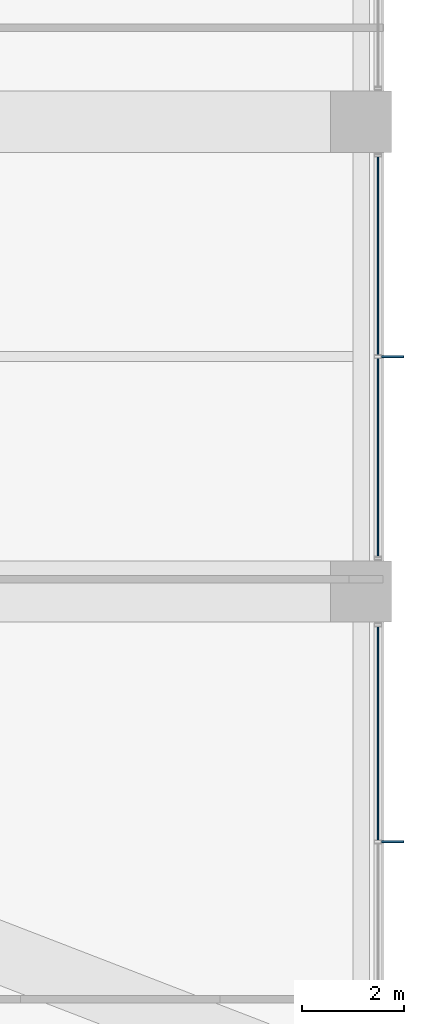
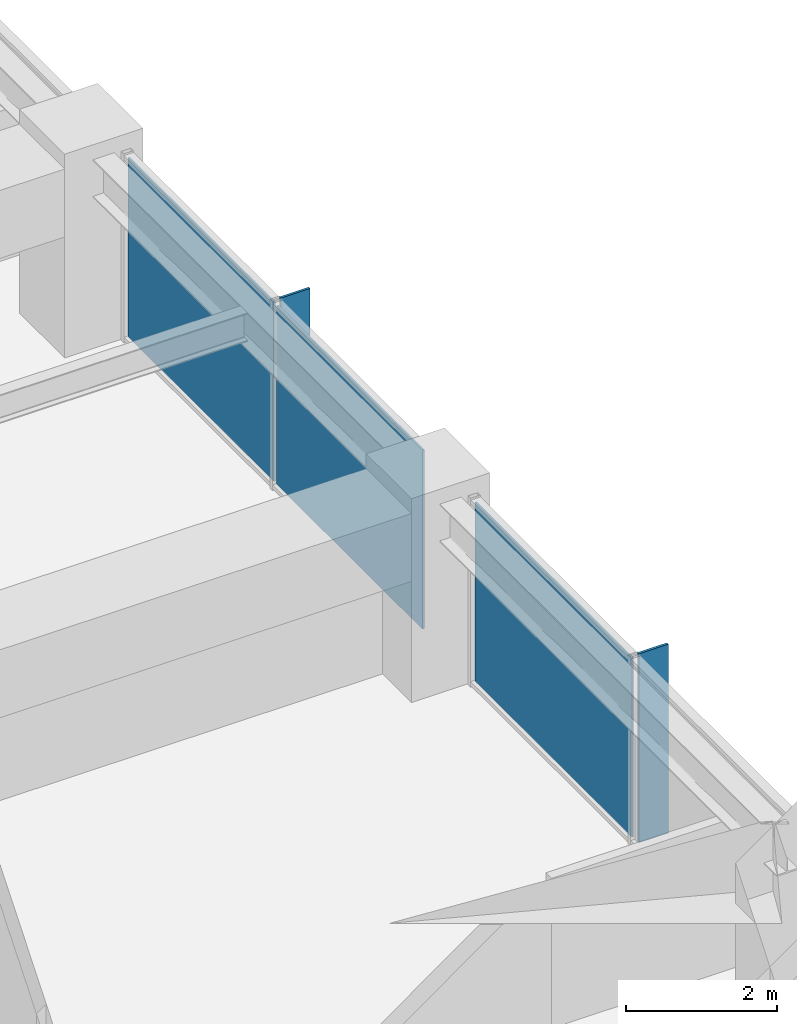
# One storey, part 29 of 37: 5 plates, 2 elements without a shape of their own.
"""IFC4 building model written with IfcOpenShell, lengths in metres."""

from ifc_helpers import new_model, si_unit, direction, frame, origin, origin_2d, place, context, subcontext, project, spatial, rectangle, extrude, material, layer, layer_set, type_object, element, aggregate, save


model = new_model("IFC4")

# Units and contexts
model_context = context("Model", 3, precision=1e-05, world=origin(), true_north=direction((0.0, 1.0)))
body_context = subcontext(model_context, "Body", "Model", "MODEL_VIEW")
ifc_project = project(units=[si_unit("LENGTHUNIT", "METRE"), si_unit("AREAUNIT", "SQUARE_METRE"), si_unit("VOLUMEUNIT", "CUBIC_METRE"), si_unit("PLANEANGLEUNIT", "RADIAN"), si_unit("MASSUNIT", "GRAM", prefix="KILO")], contexts=[model_context])

# Site, building, storey
site_placement = place(None, origin())
site = spatial("IfcSite", under=ifc_project, at=site_placement, CompositionType="ELEMENT")
building_placement = place(site_placement, origin())
building = spatial("IfcBuilding", under=site, at=building_placement, Name="Kolvaren Belvedere", CompositionType="ELEMENT")
storey_placement = place(building_placement, frame((0.0, 0.0, 37.0)))
storey = spatial("IfcBuildingStorey", under=building, at=storey_placement, Name="L10", CompositionType="ELEMENT", Elevation=37.0)

# Curtain wall, plates
ifc_material_1 = material(Name="Anodised pale-metal aluminium AA 6063-T6", Category="aluminium")
curtain_wall_type = type_object("IfcCurtainWallType", Name="CW-Z1-LOW", PredefinedType="NOTDEFINED", material=ifc_material_1)
curtain_wall_1_placement = place(storey_placement, origin())
curtain_wall_1 = element("IfcCurtainWall", 1, at=curtain_wall_1_placement, inside=storey, type_object=curtain_wall_type, Name="L10 Unitised Curtain Wall FCW-L10-E-B2", PredefinedType="NOTDEFINED")
ifc_material_2 = material(Name="Low-iron triple insulated glass", Category="glass")
ifc_layer_1 = layer(ifc_material_2, 0.028076171875)
ifc_layer_set_1 = layer_set([ifc_layer_1], Name="Low-iron triple insulated glass")
plate_type_1 = type_object("IfcPlateType", Name="CW-PNL-VIS28", PredefinedType="CURTAIN_PANEL", material=ifc_layer_set_1)
plate_1_placement = place(storey_placement, frame((21.8798828125, 1.972412109375, 0.080078125), z_axis=(0.0, 0.0, 1.0), x_axis=(0.0, -1.0, 0.0)))
plate_1 = element("IfcPlate", 2, at=plate_1_placement, type_object=plate_type_1, Name="FCW-L10-E-B2 Vision Glazing Panel 1", PredefinedType="CURTAIN_PANEL", context=body_context, shape_type="SweptSolid", body=[
    extrude(rectangle(XDim=3.864990234375, YDim=0.028076171875, at=origin_2d()), origin(), (0.0, 0.0, 1.0), 2.89990234375),
])
plate_2_placement = place(storey_placement, frame((21.8798828125, -1.972412109375, 0.080078125), z_axis=(0.0, 0.0, 1.0), x_axis=(0.0, -1.0, 0.0)))
plate_2 = element("IfcPlate", 3, at=plate_2_placement, type_object=plate_type_1, Name="FCW-L10-E-B2 Vision Glazing Panel 2", PredefinedType="CURTAIN_PANEL", context=body_context, shape_type="SweptSolid", body=[
    extrude(rectangle(XDim=3.864990234375, YDim=0.028076171875, at=origin_2d()), origin(), (0.0, 0.0, 1.0), 2.89990234375),
])
aggregate(curtain_wall_1, [plate_1, plate_2])

# Curtain wall, plate
curtain_wall_2_placement = place(storey_placement, origin())
curtain_wall_2 = element("IfcCurtainWall", 4, at=curtain_wall_2_placement, inside=storey, type_object=curtain_wall_type, Name="L10 Unitised Curtain Wall FCW-L10-E-B3", PredefinedType="NOTDEFINED")
plate_3_placement = place(storey_placement, frame((21.8798828125, -7.37744140625, 0.080078125), z_axis=(0.0, 0.0, 1.0), x_axis=(0.0, -1.0, 0.0)))
plate_3 = element("IfcPlate", 5, at=plate_3_placement, type_object=plate_type_1, Name="FCW-L10-E-B3 Vision Glazing Panel 1", PredefinedType="CURTAIN_PANEL", context=body_context, shape_type="SweptSolid", body=[
    extrude(rectangle(XDim=4.1650390625, YDim=0.028076171875, at=origin_2d()), origin(), (0.0, 0.0, 1.0), 2.89990234375),
])
aggregate(curtain_wall_2, [plate_3])

# Plates
ifc_material_3 = material(Name="Anodised pale-metal aluminium AA 6063-T6", Category="aluminium")
ifc_layer_2 = layer(ifc_material_3, 0.0380859375)
ifc_layer_set_2 = layer_set([ifc_layer_2], Name="Anodised pale-metal aluminium AA 6063-T6")
plate_type_2 = type_object("IfcPlateType", Name="FIN-VERT-450", PredefinedType="USERDEFINED", material=ifc_layer_set_2)
for number, where, z_axis, x_axis, name in (
    (6, (22.1650390625, 0.0, 0.0), (0.0, 0.0, 1.0), (1.0, 0.0, 0.0), "L10 Pale-Metal Vertical Shading Fin FCW-L10-E-B2-1"),
    (7, (22.1650390625, -9.5, 0.0), (0.0, 0.0, 1.0), (1.0, 0.0, 0.0), "L10 Pale-Metal Vertical Shading Fin FCW-L10-E-B3-1"),
):
    element("IfcPlate", number, at=place(storey_placement, frame(where, z_axis=z_axis, x_axis=x_axis)), inside=storey, type_object=plate_type_2, Name=name, ObjectType="VERTICAL FIN", PredefinedType="USERDEFINED", context=body_context, shape_type="SweptSolid", body=[
        extrude(rectangle(XDim=0.449951171875, YDim=0.0380859375, at=origin_2d()), origin(), (0.0, 0.0, 1.0), 3.06005859375),
    ])

save(model, "model.ifc")
